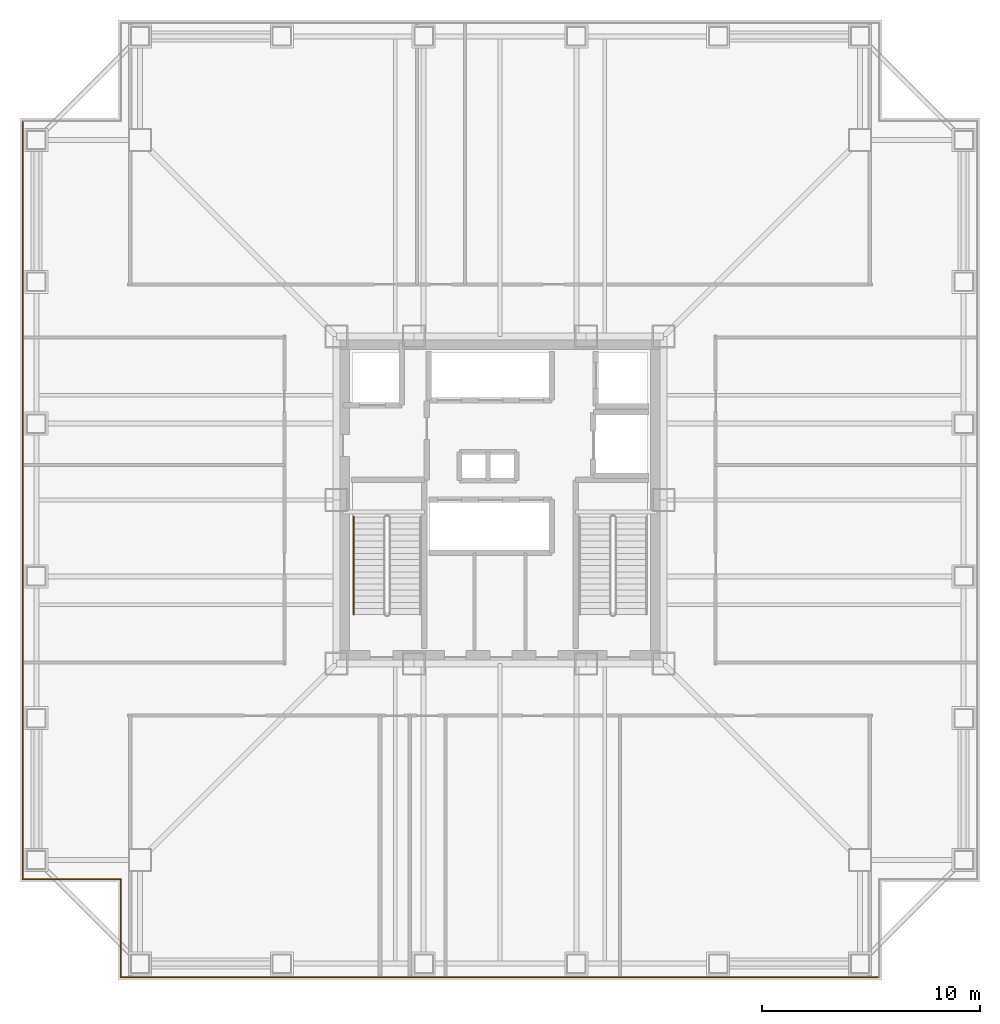
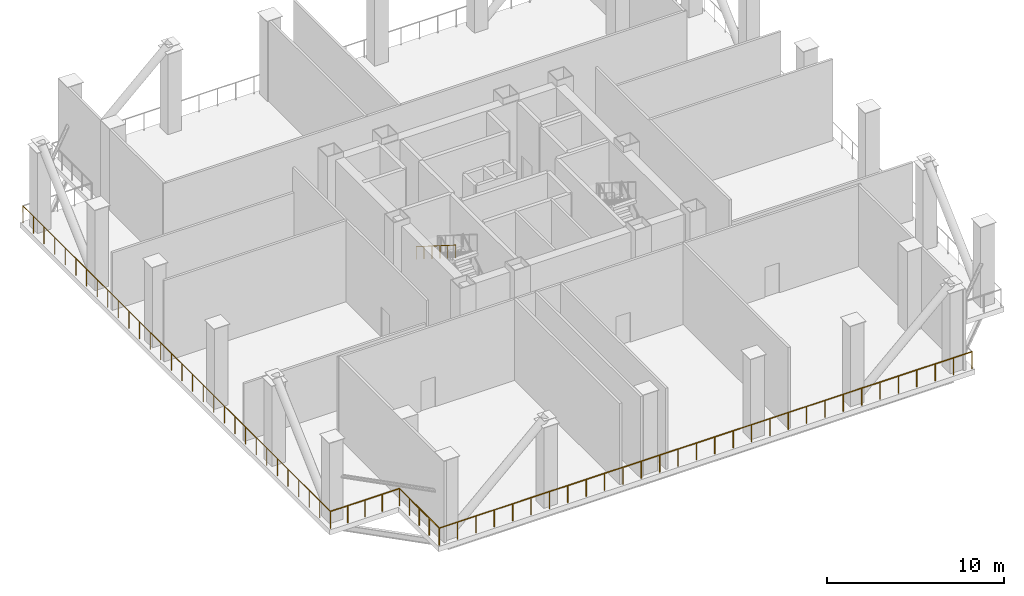
# One storey, part 5 of 7: 5 railings.
"""IFC4 building model written with IfcOpenShell, lengths in metres."""

import ifcopenshell
import ifcopenshell.guid

model = None  # the IFC model being written
_history = None  # IfcOwnerHistory: only IFC2X3 demands one
_inside = {}  # id of a spatial element -> (the spatial element, [elements in it])
_under = {}  # id of a project, library or spatial element -> (it, [spatial elements below it])
_declared = {}  # id of a project -> (the project, [libraries it declares])
_typed = {}  # id of a type object -> (the type object, [elements of that type])
_made_of = {}  # id of a material, layer set ... -> (it, [elements and type objects made of it])


def new_model(schema):
    """Start an empty IFC model of exactly this schema.

    Asked for "IFC4X3", IfcOpenShell would pick the latest addendum, in which some entities
    have other attributes; the version numbers below select the first issue.
    IFC2X3 requires an IfcOwnerHistory on every rooted entity: one is made here for all.
    """
    global model, _history
    if schema == "IFC4X3":
        model = ifcopenshell.file(schema_version=(4, 3, 0, 0))
    else:
        model = ifcopenshell.file(schema=schema)
    _inside.clear()
    _under.clear()
    _declared.clear()
    _typed.clear()
    _made_of.clear()
    _history = None
    if model.schema == "IFC2X3":
        org = make("IfcOrganization", Name="unknown")
        user = make(
            "IfcPersonAndOrganization",
            ThePerson=make("IfcPerson", FamilyName="unknown"),
            TheOrganization=org,
        )
        app = make(
            "IfcApplication",
            ApplicationDeveloper=org,
            Version="unknown",
            ApplicationFullName="unknown",
            ApplicationIdentifier="unknown",
        )
        _history = make(
            "IfcOwnerHistory",
            OwningUser=user,
            OwningApplication=app,
            ChangeAction="ADDED",
            CreationDate=0,
        )
    return model


def make(cls, **values):
    """One entity of the class cls with the attributes given. An attribute that is None is left unset."""
    return model.create_entity(
        cls, **{name: value for name, value in values.items() if value is not None}
    )


def rooted(cls, **values):
    """An entity with a GlobalId (a new one), such as an element, a storey or a relation."""
    return make(cls, GlobalId=ifcopenshell.guid.new(), OwnerHistory=_history, **values)


def si_unit(unit_type, name, prefix=None):
    """IfcSIUnit, for example si_unit("LENGTHUNIT", "METRE", prefix="MILLI")."""
    return make("IfcSIUnit", UnitType=unit_type, Prefix=prefix, Name=name)


def assignment(units):
    """IfcUnitAssignment: the units of a project."""
    return None if units is None else make("IfcUnitAssignment", Units=units)


def point(xyz):
    """IfcCartesianPoint."""
    return None if xyz is None else make("IfcCartesianPoint", Coordinates=xyz)


def direction(xyz):
    """IfcDirection."""
    return None if xyz is None else make("IfcDirection", DirectionRatios=xyz)


def frame(location, z_axis=None, x_axis=None):
    """IfcAxis2Placement3D, a coordinate frame: its origin and axes. An axis left out is left unset."""
    return make(
        "IfcAxis2Placement3D",
        Location=point(location),
        Axis=direction(z_axis),
        RefDirection=direction(x_axis),
    )


def frame_2d(location, x_axis=None):
    """IfcAxis2Placement2D, a coordinate frame in the plane: its origin and x axis."""
    return make(
        "IfcAxis2Placement2D", Location=point(location), RefDirection=direction(x_axis)
    )


def origin():
    """The frame at (0, 0, 0) with its axes left unset."""
    return frame((0.0, 0.0, 0.0))


def origin_2d():
    """The frame at (0, 0) in the plane with its x axis left unset."""
    return frame_2d((0.0, 0.0))


def place(relative_to, where):
    """IfcLocalPlacement: puts the frame where relative to a parent placement (None: the world)."""
    return make(
        "IfcLocalPlacement", PlacementRelTo=relative_to, RelativePlacement=where
    )


def context(
    kind, dimensions, precision=None, world=None, true_north=None, identifier=None
):
    """IfcGeometricRepresentationContext, for example the 3D "Model" context."""
    return make(
        "IfcGeometricRepresentationContext",
        ContextIdentifier=identifier,
        ContextType=kind,
        CoordinateSpaceDimension=dimensions,
        Precision=precision,
        WorldCoordinateSystem=world,
        TrueNorth=true_north,
    )


def subcontext(parent, identifier, kind, view, scale=None):
    """IfcGeometricRepresentationSubContext, for example "Body" below "Model"."""
    return make(
        "IfcGeometricRepresentationSubContext",
        ContextIdentifier=identifier,
        ContextType=kind,
        ParentContext=parent,
        TargetScale=scale,
        TargetView=view,
    )


def project(units=None, contexts=None):
    """IfcProject with its units and contexts."""
    return rooted(
        "IfcProject",
        Name="project",
        RepresentationContexts=contexts,
        UnitsInContext=assignment(units),
    )


def spatial(cls, under=None, at=None, **own):
    """A site, building, storey or space (cls), placed at a placement, below another one or the project."""
    s = rooted(cls, ObjectPlacement=at, **own)
    if under is not None:
        _under.setdefault(under.id(), (under, []))[1].append(s)
    return s


def profile(cls, at=None, kind="AREA", **sizes):
    """A parametric profile (cls). Its sizes go by their IFC names, for example OverallWidth=200.0."""
    return make(cls, ProfileType=kind, Position=at, **sizes)


def circle(**sizes):
    """IfcCircleProfileDef."""
    return profile("IfcCircleProfileDef", **sizes)


def extrude(swept, where, along, depth):
    """IfcExtrudedAreaSolid: the profile swept, set in the frame where, extruded along a direction by depth."""
    return make(
        "IfcExtrudedAreaSolid",
        SweptArea=swept,
        Position=where,
        ExtrudedDirection=direction(along),
        Depth=depth,
    )


def shape(context_of_items, identifier, shape_type, items):
    """IfcShapeRepresentation: the items that make up one representation, for example the "Body"."""
    return make(
        "IfcShapeRepresentation",
        ContextOfItems=context_of_items,
        RepresentationIdentifier=identifier,
        RepresentationType=shape_type,
        Items=items,
    )


def material(Name=None, Category=None):
    """IfcMaterial."""
    return make("IfcMaterial", Name=Name, Category=Category)


def made_of(thing, what):
    """Note that an element or type object is made of a material, layer set ...; save() writes the relation."""
    if what is not None:
        _made_of.setdefault(what.id(), (what, []))[1].append(thing)
    return thing


def type_object(cls, material=None, **own):
    """A type object (cls), such as IfcWallType, which elements share."""
    return made_of(rooted(cls, **own), material)


def element(
    cls,
    number,
    at=None,
    inside=None,
    cuts=None,
    type_object=None,
    material=None,
    context=None,
    identifier="Body",
    shape_type=None,
    held_by="IfcProductDefinitionShape",
    body=None,
    shapes=None,
    **own,
):
    """One element of the class cls, such as IfcWall. Its Tag is "e" and its number.

    at: its placement. inside: the storey or other place that contains it. cuts: it is an
    opening in that element (IfcRelVoidsElement). A single representation is given by context,
    identifier, shape_type and body (its items); several are given by shapes. held_by: the class
    of the entity that holds the representations. save() writes the other relations.
    """
    e = rooted(cls, Tag="e%d" % number, ObjectPlacement=at, **own)
    if body is not None:
        shapes = [shape(context, identifier, shape_type, body)]
    if shapes is not None:
        e.Representation = make(held_by, Representations=shapes)
    if inside is not None:
        _inside.setdefault(inside.id(), (inside, []))[1].append(e)
    if cuts is not None:
        rooted(
            "IfcRelVoidsElement", RelatingBuildingElement=cuts, RelatedOpeningElement=e
        )
    if type_object is not None:
        _typed.setdefault(type_object.id(), (type_object, []))[1].append(e)
    return made_of(e, material)


def aggregate(whole, parts):
    """IfcRelAggregates: a whole, such as a stair, and the parts it consists of."""
    return rooted("IfcRelAggregates", RelatingObject=whole, RelatedObjects=parts)


def save(model, path):
    """Write the relations noted so far, then the file.

    IfcRelAggregates (storeys below a building ...), IfcRelContainedInSpatialStructure (elements
    in a storey), IfcRelDefinesByType, IfcRelAssociatesMaterial and IfcRelDeclares: one each for
    every whole, place, type object, material and project.
    """
    for whole, parts in _under.values():
        aggregate(whole, parts)
    for where, things in _inside.values():
        rooted(
            "IfcRelContainedInSpatialStructure",
            RelatedElements=things,
            RelatingStructure=where,
        )
    for kind, things in _typed.values():
        rooted("IfcRelDefinesByType", RelatedObjects=things, RelatingType=kind)
    for what, things in _made_of.values():
        rooted("IfcRelAssociatesMaterial", RelatedObjects=things, RelatingMaterial=what)
    for by, libraries in _declared.values():
        rooted("IfcRelDeclares", RelatingContext=by, RelatedDefinitions=libraries)
    model.write(path)


model = new_model("IFC4")

# Units and contexts
model_context = context("Model", 3, precision=1e-05, world=origin(), true_north=direction((0.0, 1.0)))
body_context = subcontext(model_context, "Body", "Model", "MODEL_VIEW")
ifc_project = project(units=[si_unit("LENGTHUNIT", "METRE"), si_unit("AREAUNIT", "SQUARE_METRE"), si_unit("VOLUMEUNIT", "CUBIC_METRE"), si_unit("PLANEANGLEUNIT", "RADIAN"), si_unit("MASSUNIT", "GRAM", prefix="KILO")], contexts=[model_context])

# Site, building, storey
site_placement = place(None, origin())
site = spatial("IfcSite", under=ifc_project, at=site_placement, CompositionType="ELEMENT")
building_placement = place(site_placement, origin())
building = spatial("IfcBuilding", under=site, at=building_placement, Name="Trevonay Congress Spire", CompositionType="ELEMENT")
storey_placement = place(building_placement, frame((0.0, 0.0, 160.199951171875)))
storey = spatial("IfcBuildingStorey", under=building, at=storey_placement, Name="L41", CompositionType="ELEMENT", Elevation=160.199951171875)

# Railings
ifc_material = material(Name="Pale Anodised Aluminium EN AW-6063-T6", Category="aluminium")
railing_type_1 = type_object("IfcRailingType", Name="RAL-STAIR-HANDRAIL", PredefinedType="HANDRAIL", material=ifc_material)
railing_1_placement = place(storey_placement, frame((-6.699951171875, -0.77001953125, 3.176513671875)))
element("IfcRailing", 1, at=railing_1_placement, inside=storey, type_object=railing_type_1, Name="L41 ST-1 stair handrail 2", PredefinedType="HANDRAIL", context=body_context, shape_type="SweptSolid", body=[
    extrude(circle(Radius=0.02392578125, at=origin_2d()), frame((0.0, 0.0, 0.8759765625), z_axis=(0.0, -0.845997938375, 0.533186166611), x_axis=(1.0, 0.0, 0.0)), (0.0, 0.0, 1.0), 5.29541015625),
    extrude(circle(Radius=0.02099609375, at=origin_2d()), origin(), (0.0, 0.0, 1.0), 0.851806640625),
    extrude(circle(Radius=0.02099609375, at=origin_2d()), frame((0.0, -0.89599609375, 0.564697265625)), (0.0, 0.0, 1.0), 0.851806640625),
    extrude(circle(Radius=0.02099609375, at=origin_2d()), frame((0.0, -1.7919921875, 1.12939453125)), (0.0, 0.0, 1.0), 0.851806640625),
    extrude(circle(Radius=0.02099609375, at=origin_2d()), frame((0.0, -2.68798828125, 1.694091796875)), (0.0, 0.0, 1.0), 0.851806640625),
    extrude(circle(Radius=0.02099609375, at=origin_2d()), frame((0.0, -3.583984375, 2.2587890625)), (0.0, 0.0, 1.0), 0.851806640625),
    extrude(circle(Radius=0.02099609375, at=origin_2d()), frame((0.0, -4.47998046875, 2.823486328125)), (0.0, 0.0, 1.0), 0.851806640625),
])
railing_type_2 = type_object("IfcRailingType", Name="RAL-WIND-GUARD-120", PredefinedType="GUARDRAIL", material=ifc_material)
railing_2_placement = place(storey_placement, frame((-17.3798828125, -21.8798828125, 0.0)))
element("IfcRailing", 2, at=railing_2_placement, inside=storey, type_object=railing_type_2, Name="L41 perimeter safety guard GRD-L41-WIND-1", PredefinedType="GUARDRAIL", context=body_context, shape_type="SweptSolid", body=[
    extrude(circle(Radius=0.02392578125, at=origin_2d()), frame((0.0, 0.0, 1.17578125), z_axis=(0.0, 1.0, 0.0), x_axis=(-1.0, 0.0, 0.0)), (0.0, 0.0, 1.0), 4.5),
    extrude(circle(Radius=0.02099609375, at=origin_2d()), origin(), (0.0, 0.0, 1.0), 1.15185546875),
    extrude(circle(Radius=0.02099609375, at=origin_2d()), frame((0.0, 1.125, 0.0)), (0.0, 0.0, 1.0), 1.15185546875),
    extrude(circle(Radius=0.02099609375, at=origin_2d()), frame((0.0, 2.25, 0.0)), (0.0, 0.0, 1.0), 1.15185546875),
    extrude(circle(Radius=0.02099609375, at=origin_2d()), frame((0.0, 3.375, 0.0)), (0.0, 0.0, 1.0), 1.15185546875),
    extrude(circle(Radius=0.02099609375, at=origin_2d()), frame((0.0, 4.5, 0.0)), (0.0, 0.0, 1.0), 1.15185546875),
])
railing_3_placement = place(storey_placement, frame((-17.3798828125, -17.3798828125, 0.0)))
element("IfcRailing", 3, at=railing_3_placement, inside=storey, type_object=railing_type_2, Name="L41 perimeter safety guard GRD-L41-WIND-2", PredefinedType="GUARDRAIL", context=body_context, shape_type="SweptSolid", body=[
    extrude(circle(Radius=0.02392578125, at=origin_2d()), frame((0.0, 0.0, 1.17578125), z_axis=(-1.0, 0.0, 0.0), x_axis=(0.0, -1.0, 0.0)), (0.0, 0.0, 1.0), 4.5),
    extrude(circle(Radius=0.02099609375, at=origin_2d()), origin(), (0.0, 0.0, 1.0), 1.15185546875),
    extrude(circle(Radius=0.02099609375, at=origin_2d()), frame((-1.125, 0.0, 0.0)), (0.0, 0.0, 1.0), 1.15185546875),
    extrude(circle(Radius=0.02099609375, at=origin_2d()), frame((-2.25, 0.0, 0.0)), (0.0, 0.0, 1.0), 1.15185546875),
    extrude(circle(Radius=0.02099609375, at=origin_2d()), frame((-3.375, 0.0, 0.0)), (0.0, 0.0, 1.0), 1.15185546875),
    extrude(circle(Radius=0.02099609375, at=origin_2d()), frame((-4.5, 0.0, 0.0)), (0.0, 0.0, 1.0), 1.15185546875),
])
railing_4_placement = place(storey_placement, frame((-21.8798828125, -17.3798828125, 0.0)))
element("IfcRailing", 4, at=railing_4_placement, inside=storey, type_object=railing_type_2, Name="L41 perimeter safety guard GRD-L41-WIND-3", PredefinedType="GUARDRAIL", context=body_context, shape_type="SweptSolid", body=[
    extrude(circle(Radius=0.02392578125, at=origin_2d()), frame((0.0, 0.0, 1.17578125), z_axis=(0.0, 1.0, 0.0), x_axis=(-1.0, 0.0, 0.0)), (0.0, 0.0, 1.0), 34.759765625),
    extrude(circle(Radius=0.02099609375, at=origin_2d()), origin(), (0.0, 0.0, 1.0), 1.15185546875),
    extrude(circle(Radius=0.02099609375, at=origin_2d()), frame((0.0, 1.19873046875, 0.0)), (0.0, 0.0, 1.0), 1.15185546875),
    extrude(circle(Radius=0.02099609375, at=origin_2d()), frame((0.0, 2.397216796875, 0.0)), (0.0, 0.0, 1.0), 1.15185546875),
    extrude(circle(Radius=0.02099609375, at=origin_2d()), frame((0.0, 3.595947265625, 0.0)), (0.0, 0.0, 1.0), 1.15185546875),
    extrude(circle(Radius=0.02099609375, at=origin_2d()), frame((0.0, 4.79443359375, 0.0)), (0.0, 0.0, 1.0), 1.15185546875),
    extrude(circle(Radius=0.02099609375, at=origin_2d()), frame((0.0, 5.9931640625, 0.0)), (0.0, 0.0, 1.0), 1.15185546875),
    extrude(circle(Radius=0.02099609375, at=origin_2d()), frame((0.0, 7.191650390625, 0.0)), (0.0, 0.0, 1.0), 1.15185546875),
    extrude(circle(Radius=0.02099609375, at=origin_2d()), frame((0.0, 8.390380859375, 0.0)), (0.0, 0.0, 1.0), 1.15185546875),
    extrude(circle(Radius=0.02099609375, at=origin_2d()), frame((0.0, 9.5888671875, 0.0)), (0.0, 0.0, 1.0), 1.15185546875),
    extrude(circle(Radius=0.02099609375, at=origin_2d()), frame((0.0, 10.78759765625, 0.0)), (0.0, 0.0, 1.0), 1.15185546875),
    extrude(circle(Radius=0.02099609375, at=origin_2d()), frame((0.0, 11.986083984375, 0.0)), (0.0, 0.0, 1.0), 1.15185546875),
    extrude(circle(Radius=0.02099609375, at=origin_2d()), frame((0.0, 13.184814453125, 0.0)), (0.0, 0.0, 1.0), 1.15185546875),
    extrude(circle(Radius=0.02099609375, at=origin_2d()), frame((0.0, 14.38330078125, 0.0)), (0.0, 0.0, 1.0), 1.15185546875),
    extrude(circle(Radius=0.02099609375, at=origin_2d()), frame((0.0, 15.58203125, 0.0)), (0.0, 0.0, 1.0), 1.15185546875),
    extrude(circle(Radius=0.02099609375, at=origin_2d()), frame((0.0, 16.780517578125, 0.0)), (0.0, 0.0, 1.0), 1.15185546875),
    extrude(circle(Radius=0.02099609375, at=origin_2d()), frame((0.0, 17.979248046875, 0.0)), (0.0, 0.0, 1.0), 1.15185546875),
    extrude(circle(Radius=0.02099609375, at=origin_2d()), frame((0.0, 19.177734375, 0.0)), (0.0, 0.0, 1.0), 1.15185546875),
    extrude(circle(Radius=0.02099609375, at=origin_2d()), frame((0.0, 20.37646484375, 0.0)), (0.0, 0.0, 1.0), 1.15185546875),
    extrude(circle(Radius=0.02099609375, at=origin_2d()), frame((0.0, 21.574951171875, 0.0)), (0.0, 0.0, 1.0), 1.15185546875),
    extrude(circle(Radius=0.02099609375, at=origin_2d()), frame((0.0, 22.773681640625, 0.0)), (0.0, 0.0, 1.0), 1.15185546875),
    extrude(circle(Radius=0.02099609375, at=origin_2d()), frame((0.0, 23.97216796875, 0.0)), (0.0, 0.0, 1.0), 1.15185546875),
    extrude(circle(Radius=0.02099609375, at=origin_2d()), frame((0.0, 25.1708984375, 0.0)), (0.0, 0.0, 1.0), 1.15185546875),
    extrude(circle(Radius=0.02099609375, at=origin_2d()), frame((0.0, 26.369384765625, 0.0)), (0.0, 0.0, 1.0), 1.15185546875),
    extrude(circle(Radius=0.02099609375, at=origin_2d()), frame((0.0, 27.568115234375, 0.0)), (0.0, 0.0, 1.0), 1.15185546875),
    extrude(circle(Radius=0.02099609375, at=origin_2d()), frame((0.0, 28.7666015625, 0.0)), (0.0, 0.0, 1.0), 1.15185546875),
    extrude(circle(Radius=0.02099609375, at=origin_2d()), frame((0.0, 29.96533203125, 0.0)), (0.0, 0.0, 1.0), 1.15185546875),
    extrude(circle(Radius=0.02099609375, at=origin_2d()), frame((0.0, 31.163818359375, 0.0)), (0.0, 0.0, 1.0), 1.15185546875),
    extrude(circle(Radius=0.02099609375, at=origin_2d()), frame((0.0, 32.362548828125, 0.0)), (0.0, 0.0, 1.0), 1.15185546875),
    extrude(circle(Radius=0.02099609375, at=origin_2d()), frame((0.0, 33.56103515625, 0.0)), (0.0, 0.0, 1.0), 1.15185546875),
    extrude(circle(Radius=0.02099609375, at=origin_2d()), frame((0.0, 34.759765625, 0.0)), (0.0, 0.0, 1.0), 1.15185546875),
])
railing_5_placement = place(storey_placement, frame((17.3798828125, -21.8798828125, 0.0)))
element("IfcRailing", 5, at=railing_5_placement, inside=storey, type_object=railing_type_2, Name="L41 perimeter safety guard GRD-L41-WIND-12", PredefinedType="GUARDRAIL", context=body_context, shape_type="SweptSolid", body=[
    extrude(circle(Radius=0.02392578125, at=origin_2d()), frame((0.0, 0.0, 1.17578125), z_axis=(-1.0, 0.0, 0.0), x_axis=(0.0, -1.0, 0.0)), (0.0, 0.0, 1.0), 34.759765625),
    extrude(circle(Radius=0.02099609375, at=origin_2d()), origin(), (0.0, 0.0, 1.0), 1.15185546875),
    extrude(circle(Radius=0.02099609375, at=origin_2d()), frame((-1.19873046875, 0.0, 0.0)), (0.0, 0.0, 1.0), 1.15185546875),
    extrude(circle(Radius=0.02099609375, at=origin_2d()), frame((-2.397216796875, 0.0, 0.0)), (0.0, 0.0, 1.0), 1.15185546875),
    extrude(circle(Radius=0.02099609375, at=origin_2d()), frame((-3.595947265625, 0.0, 0.0)), (0.0, 0.0, 1.0), 1.15185546875),
    extrude(circle(Radius=0.02099609375, at=origin_2d()), frame((-4.79443359375, 0.0, 0.0)), (0.0, 0.0, 1.0), 1.15185546875),
    extrude(circle(Radius=0.02099609375, at=origin_2d()), frame((-5.9931640625, 0.0, 0.0)), (0.0, 0.0, 1.0), 1.15185546875),
    extrude(circle(Radius=0.02099609375, at=origin_2d()), frame((-7.191650390625, 0.0, 0.0)), (0.0, 0.0, 1.0), 1.15185546875),
    extrude(circle(Radius=0.02099609375, at=origin_2d()), frame((-8.390380859375, 0.0, 0.0)), (0.0, 0.0, 1.0), 1.15185546875),
    extrude(circle(Radius=0.02099609375, at=origin_2d()), frame((-9.5888671875, 0.0, 0.0)), (0.0, 0.0, 1.0), 1.15185546875),
    extrude(circle(Radius=0.02099609375, at=origin_2d()), frame((-10.78759765625, 0.0, 0.0)), (0.0, 0.0, 1.0), 1.15185546875),
    extrude(circle(Radius=0.02099609375, at=origin_2d()), frame((-11.986083984375, 0.0, 0.0)), (0.0, 0.0, 1.0), 1.15185546875),
    extrude(circle(Radius=0.02099609375, at=origin_2d()), frame((-13.184814453125, 0.0, 0.0)), (0.0, 0.0, 1.0), 1.15185546875),
    extrude(circle(Radius=0.02099609375, at=origin_2d()), frame((-14.38330078125, 0.0, 0.0)), (0.0, 0.0, 1.0), 1.15185546875),
    extrude(circle(Radius=0.02099609375, at=origin_2d()), frame((-15.58203125, 0.0, 0.0)), (0.0, 0.0, 1.0), 1.15185546875),
    extrude(circle(Radius=0.02099609375, at=origin_2d()), frame((-16.780517578125, 0.0, 0.0)), (0.0, 0.0, 1.0), 1.15185546875),
    extrude(circle(Radius=0.02099609375, at=origin_2d()), frame((-17.979248046875, 0.0, 0.0)), (0.0, 0.0, 1.0), 1.15185546875),
    extrude(circle(Radius=0.02099609375, at=origin_2d()), frame((-19.177734375, 0.0, 0.0)), (0.0, 0.0, 1.0), 1.15185546875),
    extrude(circle(Radius=0.02099609375, at=origin_2d()), frame((-20.37646484375, 0.0, 0.0)), (0.0, 0.0, 1.0), 1.15185546875),
    extrude(circle(Radius=0.02099609375, at=origin_2d()), frame((-21.574951171875, 0.0, 0.0)), (0.0, 0.0, 1.0), 1.15185546875),
    extrude(circle(Radius=0.02099609375, at=origin_2d()), frame((-22.773681640625, 0.0, 0.0)), (0.0, 0.0, 1.0), 1.15185546875),
    extrude(circle(Radius=0.02099609375, at=origin_2d()), frame((-23.97216796875, 0.0, 0.0)), (0.0, 0.0, 1.0), 1.15185546875),
    extrude(circle(Radius=0.02099609375, at=origin_2d()), frame((-25.1708984375, 0.0, 0.0)), (0.0, 0.0, 1.0), 1.15185546875),
    extrude(circle(Radius=0.02099609375, at=origin_2d()), frame((-26.369384765625, 0.0, 0.0)), (0.0, 0.0, 1.0), 1.15185546875),
    extrude(circle(Radius=0.02099609375, at=origin_2d()), frame((-27.568115234375, 0.0, 0.0)), (0.0, 0.0, 1.0), 1.15185546875),
    extrude(circle(Radius=0.02099609375, at=origin_2d()), frame((-28.7666015625, 0.0, 0.0)), (0.0, 0.0, 1.0), 1.15185546875),
    extrude(circle(Radius=0.02099609375, at=origin_2d()), frame((-29.96533203125, 0.0, 0.0)), (0.0, 0.0, 1.0), 1.15185546875),
    extrude(circle(Radius=0.02099609375, at=origin_2d()), frame((-31.163818359375, 0.0, 0.0)), (0.0, 0.0, 1.0), 1.15185546875),
    extrude(circle(Radius=0.02099609375, at=origin_2d()), frame((-32.362548828125, 0.0, 0.0)), (0.0, 0.0, 1.0), 1.15185546875),
    extrude(circle(Radius=0.02099609375, at=origin_2d()), frame((-33.56103515625, 0.0, 0.0)), (0.0, 0.0, 1.0), 1.15185546875),
    extrude(circle(Radius=0.02099609375, at=origin_2d()), frame((-34.759765625, 0.0, 0.0)), (0.0, 0.0, 1.0), 1.15185546875),
])

save(model, "model.ifc")
